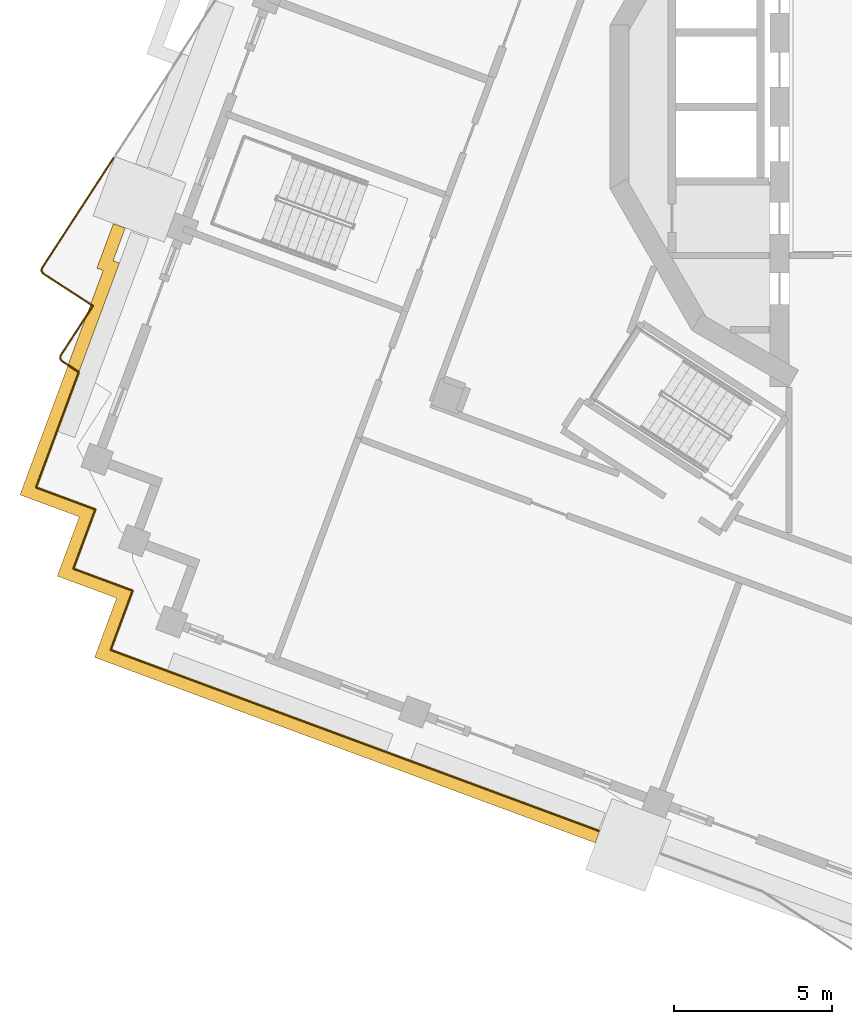
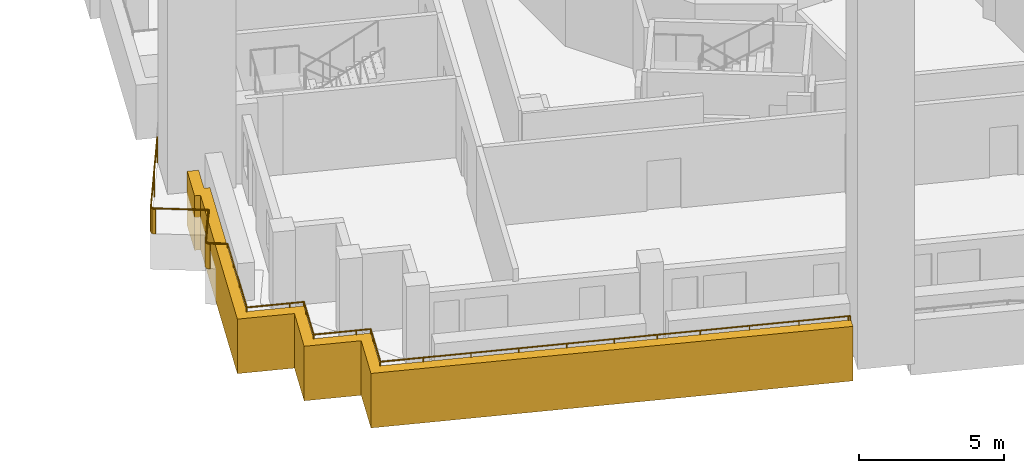
# One storey, part 10 of 20: 1 covering, 1 railing.
"""IFC4 building model written with IfcOpenShell, lengths in metres."""

import ifcopenshell
import ifcopenshell.guid

model = None  # the IFC model being written
_history = None  # IfcOwnerHistory: only IFC2X3 demands one
_inside = {}  # id of a spatial element -> (the spatial element, [elements in it])
_under = {}  # id of a project, library or spatial element -> (it, [spatial elements below it])
_declared = {}  # id of a project -> (the project, [libraries it declares])
_typed = {}  # id of a type object -> (the type object, [elements of that type])
_made_of = {}  # id of a material, layer set ... -> (it, [elements and type objects made of it])


def new_model(schema):
    """Start an empty IFC model of exactly this schema.

    Asked for "IFC4X3", IfcOpenShell would pick the latest addendum, in which some entities
    have other attributes; the version numbers below select the first issue.
    IFC2X3 requires an IfcOwnerHistory on every rooted entity: one is made here for all.
    """
    global model, _history
    if schema == "IFC4X3":
        model = ifcopenshell.file(schema_version=(4, 3, 0, 0))
    else:
        model = ifcopenshell.file(schema=schema)
    _inside.clear()
    _under.clear()
    _declared.clear()
    _typed.clear()
    _made_of.clear()
    _history = None
    if model.schema == "IFC2X3":
        org = make("IfcOrganization", Name="unknown")
        user = make(
            "IfcPersonAndOrganization",
            ThePerson=make("IfcPerson", FamilyName="unknown"),
            TheOrganization=org,
        )
        app = make(
            "IfcApplication",
            ApplicationDeveloper=org,
            Version="unknown",
            ApplicationFullName="unknown",
            ApplicationIdentifier="unknown",
        )
        _history = make(
            "IfcOwnerHistory",
            OwningUser=user,
            OwningApplication=app,
            ChangeAction="ADDED",
            CreationDate=0,
        )
    return model


def make(cls, **values):
    """One entity of the class cls with the attributes given. An attribute that is None is left unset."""
    return model.create_entity(
        cls, **{name: value for name, value in values.items() if value is not None}
    )


def rooted(cls, **values):
    """An entity with a GlobalId (a new one), such as an element, a storey or a relation."""
    return make(cls, GlobalId=ifcopenshell.guid.new(), OwnerHistory=_history, **values)


def si_unit(unit_type, name, prefix=None):
    """IfcSIUnit, for example si_unit("LENGTHUNIT", "METRE", prefix="MILLI")."""
    return make("IfcSIUnit", UnitType=unit_type, Prefix=prefix, Name=name)


def assignment(units):
    """IfcUnitAssignment: the units of a project."""
    return None if units is None else make("IfcUnitAssignment", Units=units)


def point(xyz):
    """IfcCartesianPoint."""
    return None if xyz is None else make("IfcCartesianPoint", Coordinates=xyz)


def direction(xyz):
    """IfcDirection."""
    return None if xyz is None else make("IfcDirection", DirectionRatios=xyz)


def frame(location, z_axis=None, x_axis=None):
    """IfcAxis2Placement3D, a coordinate frame: its origin and axes. An axis left out is left unset."""
    return make(
        "IfcAxis2Placement3D",
        Location=point(location),
        Axis=direction(z_axis),
        RefDirection=direction(x_axis),
    )


def frame_2d(location, x_axis=None):
    """IfcAxis2Placement2D, a coordinate frame in the plane: its origin and x axis."""
    return make(
        "IfcAxis2Placement2D", Location=point(location), RefDirection=direction(x_axis)
    )


def origin():
    """The frame at (0, 0, 0) with its axes left unset."""
    return frame((0.0, 0.0, 0.0))


def origin_2d():
    """The frame at (0, 0) in the plane with its x axis left unset."""
    return frame_2d((0.0, 0.0))


def place(relative_to, where):
    """IfcLocalPlacement: puts the frame where relative to a parent placement (None: the world)."""
    return make(
        "IfcLocalPlacement", PlacementRelTo=relative_to, RelativePlacement=where
    )


def context(
    kind, dimensions, precision=None, world=None, true_north=None, identifier=None
):
    """IfcGeometricRepresentationContext, for example the 3D "Model" context."""
    return make(
        "IfcGeometricRepresentationContext",
        ContextIdentifier=identifier,
        ContextType=kind,
        CoordinateSpaceDimension=dimensions,
        Precision=precision,
        WorldCoordinateSystem=world,
        TrueNorth=true_north,
    )


def subcontext(parent, identifier, kind, view, scale=None):
    """IfcGeometricRepresentationSubContext, for example "Body" below "Model"."""
    return make(
        "IfcGeometricRepresentationSubContext",
        ContextIdentifier=identifier,
        ContextType=kind,
        ParentContext=parent,
        TargetScale=scale,
        TargetView=view,
    )


def project(units=None, contexts=None):
    """IfcProject with its units and contexts."""
    return rooted(
        "IfcProject",
        Name="project",
        RepresentationContexts=contexts,
        UnitsInContext=assignment(units),
    )


def spatial(cls, under=None, at=None, **own):
    """A site, building, storey or space (cls), placed at a placement, below another one or the project."""
    s = rooted(cls, ObjectPlacement=at, **own)
    if under is not None:
        _under.setdefault(under.id(), (under, []))[1].append(s)
    return s


def polyline(points):
    """IfcPolyline through the points."""
    return make("IfcPolyline", Points=[point(p) for p in points])


def profile(cls, at=None, kind="AREA", **sizes):
    """A parametric profile (cls). Its sizes go by their IFC names, for example OverallWidth=200.0."""
    return make(cls, ProfileType=kind, Position=at, **sizes)


def circle(**sizes):
    """IfcCircleProfileDef."""
    return profile("IfcCircleProfileDef", **sizes)


def outline(outer, holes=None, kind="AREA"):
    """IfcArbitraryClosedProfileDef: a profile drawn as a closed curve; with holes, ...WithVoids."""
    if holes is None:
        return make("IfcArbitraryClosedProfileDef", ProfileType=kind, OuterCurve=outer)
    return make(
        "IfcArbitraryProfileDefWithVoids",
        ProfileType=kind,
        OuterCurve=outer,
        InnerCurves=holes,
    )


def extrude(swept, where, along, depth):
    """IfcExtrudedAreaSolid: the profile swept, set in the frame where, extruded along a direction by depth."""
    return make(
        "IfcExtrudedAreaSolid",
        SweptArea=swept,
        Position=where,
        ExtrudedDirection=direction(along),
        Depth=depth,
    )


def shape(context_of_items, identifier, shape_type, items):
    """IfcShapeRepresentation: the items that make up one representation, for example the "Body"."""
    return make(
        "IfcShapeRepresentation",
        ContextOfItems=context_of_items,
        RepresentationIdentifier=identifier,
        RepresentationType=shape_type,
        Items=items,
    )


def material(Name=None, Category=None):
    """IfcMaterial."""
    return make("IfcMaterial", Name=Name, Category=Category)


def made_of(thing, what):
    """Note that an element or type object is made of a material, layer set ...; save() writes the relation."""
    if what is not None:
        _made_of.setdefault(what.id(), (what, []))[1].append(thing)
    return thing


def type_object(cls, material=None, **own):
    """A type object (cls), such as IfcWallType, which elements share."""
    return made_of(rooted(cls, **own), material)


def element(
    cls,
    number,
    at=None,
    inside=None,
    cuts=None,
    type_object=None,
    material=None,
    context=None,
    identifier="Body",
    shape_type=None,
    held_by="IfcProductDefinitionShape",
    body=None,
    shapes=None,
    **own,
):
    """One element of the class cls, such as IfcWall. Its Tag is "e" and its number.

    at: its placement. inside: the storey or other place that contains it. cuts: it is an
    opening in that element (IfcRelVoidsElement). A single representation is given by context,
    identifier, shape_type and body (its items); several are given by shapes. held_by: the class
    of the entity that holds the representations. save() writes the other relations.
    """
    e = rooted(cls, Tag="e%d" % number, ObjectPlacement=at, **own)
    if body is not None:
        shapes = [shape(context, identifier, shape_type, body)]
    if shapes is not None:
        e.Representation = make(held_by, Representations=shapes)
    if inside is not None:
        _inside.setdefault(inside.id(), (inside, []))[1].append(e)
    if cuts is not None:
        rooted(
            "IfcRelVoidsElement", RelatingBuildingElement=cuts, RelatedOpeningElement=e
        )
    if type_object is not None:
        _typed.setdefault(type_object.id(), (type_object, []))[1].append(e)
    return made_of(e, material)


def aggregate(whole, parts):
    """IfcRelAggregates: a whole, such as a stair, and the parts it consists of."""
    return rooted("IfcRelAggregates", RelatingObject=whole, RelatedObjects=parts)


def save(model, path):
    """Write the relations noted so far, then the file.

    IfcRelAggregates (storeys below a building ...), IfcRelContainedInSpatialStructure (elements
    in a storey), IfcRelDefinesByType, IfcRelAssociatesMaterial and IfcRelDeclares: one each for
    every whole, place, type object, material and project.
    """
    for whole, parts in _under.values():
        aggregate(whole, parts)
    for where, things in _inside.values():
        rooted(
            "IfcRelContainedInSpatialStructure",
            RelatedElements=things,
            RelatingStructure=where,
        )
    for kind, things in _typed.values():
        rooted("IfcRelDefinesByType", RelatedObjects=things, RelatingType=kind)
    for what, things in _made_of.values():
        rooted("IfcRelAssociatesMaterial", RelatedObjects=things, RelatingMaterial=what)
    for by, libraries in _declared.values():
        rooted("IfcRelDeclares", RelatingContext=by, RelatedDefinitions=libraries)
    model.write(path)


model = new_model("IFC4")

# Units and contexts
model_context = context("Model", 3, precision=1e-05, world=origin(), true_north=direction((0.0, 1.0)))
body_context = subcontext(model_context, "Body", "Model", "MODEL_VIEW")
ifc_project = project(units=[si_unit("LENGTHUNIT", "METRE"), si_unit("AREAUNIT", "SQUARE_METRE"), si_unit("VOLUMEUNIT", "CUBIC_METRE"), si_unit("PLANEANGLEUNIT", "RADIAN"), si_unit("MASSUNIT", "GRAM", prefix="KILO")], contexts=[model_context])

# Site, building, storey
site_placement = place(None, origin())
site = spatial("IfcSite", under=ifc_project, at=site_placement, CompositionType="ELEMENT")
building_placement = place(site_placement, origin())
building = spatial("IfcBuilding", under=site, at=building_placement, Name="Cantera Rosa Tower", CompositionType="ELEMENT")
storey_placement = place(building_placement, frame((0.0, 0.0, 306.10009765625)))
storey = spatial("IfcBuildingStorey", under=building, at=storey_placement, Name="L67", CompositionType="ELEMENT", Elevation=306.10009765625)

# Railing
ifc_material_1 = material(Name="Stainless steel and laminated glass", Category="steel")
railing_type = type_object("IfcRailingType", Name="GUARD 1100", PredefinedType="BALUSTRADE", material=ifc_material_1)
railing_placement = place(storey_placement, frame((-10.010498046875, -22.8984375, 0.0)))
element("IfcRailing", 1, at=railing_placement, inside=storey, type_object=railing_type, Name="GUARD L67-2", PredefinedType="BALUSTRADE", context=body_context, shape_type="SweptSolid", body=[
    extrude(circle(Radius=0.030029296875, at=origin_2d()), frame((0.0, 0.0, 1.070068359375), z_axis=(-0.937327749542, 0.348448977525, 0.0), x_axis=(-0.348448977525, -0.937327749542, 0.0)), (0.0, 0.0, 1.0), 0.070068359375),
    extrude(circle(Radius=0.030029296875, at=origin_2d()), frame((-0.065673828125, 0.0244140625, 1.070068359375), z_axis=(-0.937688147358, 0.347477968085, 0.0), x_axis=(-0.347477968085, -0.937688147358, 0.0)), (0.0, 0.0, 1.0), 5.199951171875),
    extrude(circle(Radius=0.030029296875, at=origin_2d()), frame((-4.941650390625, 1.831298828125, 1.070068359375), z_axis=(-0.937680024402, 0.347499887537, 0.0), x_axis=(-0.347499887537, -0.937680024402, 0.0)), (0.0, 0.0, 1.0), 3.0),
    extrude(circle(Radius=0.030029296875, at=origin_2d()), frame((-7.754638671875, 2.873779296875, 1.070068359375), z_axis=(-0.937686328856, 0.347482875373, 0.0), x_axis=(-0.347482875373, -0.937686328856, 0.0)), (0.0, 0.0, 1.0), 6.699951171875),
    extrude(circle(Radius=0.030029296875, at=origin_2d()), frame((-14.037109375, 5.201904296875, 1.070068359375), z_axis=(-0.93769967459, 0.347446859641, 0.0), x_axis=(-0.347446859641, -0.93769967459, 0.0)), (0.0, 0.0, 1.0), 1.500244140625),
    extrude(circle(Radius=0.030029296875, at=origin_2d()), frame((-15.44384765625, 5.72314453125, 1.070068359375), z_axis=(0.347499887537, 0.937680024402, 0.0), x_axis=(-0.937680024402, 0.347499887537, 0.0)), (0.0, 0.0, 1.0), 1.5),
    extrude(circle(Radius=0.030029296875, at=origin_2d()), frame((-14.922607421875, 7.129638671875, 1.070068359375), z_axis=(0.347696042931, 0.937607306781, 0.0), x_axis=(-0.937607306781, 0.347696042931, 0.0)), (0.0, 0.0, 1.0), 0.5),
    extrude(circle(Radius=0.030029296875, at=origin_2d()), frame((-14.748779296875, 7.598388671875, 1.070068359375), z_axis=(-0.937607306781, 0.347696042931, 0.0), x_axis=(-0.347696042931, -0.937607306781, 0.0)), (0.0, 0.0, 1.0), 0.5),
    extrude(circle(Radius=0.030029296875, at=origin_2d()), frame((-15.217529296875, 7.772216796875, 1.070068359375), z_axis=(-0.93769967459, 0.347446859641, 0.0), x_axis=(-0.347446859641, -0.93769967459, 0.0)), (0.0, 0.0, 1.0), 1.500244140625),
    extrude(circle(Radius=0.030029296875, at=origin_2d()), frame((-16.624267578125, 8.29345703125, 1.070068359375), z_axis=(0.347499887537, 0.937680024402, 0.0), x_axis=(-0.937680024402, 0.347499887537, 0.0)), (0.0, 0.0, 1.0), 1.5),
    extrude(circle(Radius=0.030029296875, at=origin_2d()), frame((-16.10302734375, 9.699951171875, 1.070068359375), z_axis=(0.347696042931, 0.937607306781, 0.0), x_axis=(-0.937607306781, 0.347696042931, 0.0)), (0.0, 0.0, 1.0), 0.5),
    extrude(circle(Radius=0.030029296875, at=origin_2d()), frame((-15.92919921875, 10.168701171875, 1.070068359375), z_axis=(-0.937607306781, 0.347696042931, 0.0), x_axis=(-0.347696042931, -0.937607306781, 0.0)), (0.0, 0.0, 1.0), 0.5),
    extrude(circle(Radius=0.030029296875, at=origin_2d()), frame((-16.39794921875, 10.342529296875, 1.070068359375), z_axis=(-0.93769967459, 0.347446859641, 0.0), x_axis=(-0.347446859641, -0.93769967459, 0.0)), (0.0, 0.0, 1.0), 1.500244140625),
    extrude(circle(Radius=0.030029296875, at=origin_2d()), frame((-17.8046875, 10.86376953125, 1.070068359375), z_axis=(0.347499887537, 0.937680024402, 0.0), x_axis=(-0.937680024402, 0.347499887537, 0.0)), (0.0, 0.0, 1.0), 1.5),
    extrude(circle(Radius=0.030029296875, at=origin_2d()), frame((-17.283447265625, 12.270263671875, 1.070068359375), z_axis=(0.347534196719, 0.937667308863, 0.0), x_axis=(-0.937667308863, 0.347534196719, 0.0)), (0.0, 0.0, 1.0), 2.386962890625),
    extrude(circle(Radius=0.030029296875, at=origin_2d()), frame((-16.453857421875, 14.508544921875, 1.070068359375), z_axis=(-0.838782793317, 0.544466184106, 0.0), x_axis=(-0.544466184106, -0.838782793317, 0.0)), (0.0, 0.0, 1.0), 0.62451171875),
    extrude(circle(Radius=0.030029296875, at=origin_2d()), frame((-16.977783203125, 14.8486328125, 1.070068359375), z_axis=(-0.813733471207, 0.581238193719, 0.0), x_axis=(-0.581238193719, -0.813733471207, 0.0)), (0.0, 0.0, 1.0), 0.0146484375),
    extrude(circle(Radius=0.030029296875, at=origin_2d()), frame((-16.98974609375, 14.857177734375, 1.070068359375), z_axis=(-0.747409318684, 0.66436383883, 0.0), x_axis=(-0.66436383883, -0.747409318684, 0.0)), (0.0, 0.0, 1.0), 0.0146484375),
    extrude(circle(Radius=0.030029296875, at=origin_2d()), frame((-17.000732421875, 14.866943359375, 1.070068359375), z_axis=(-0.68172559923, 0.73160796015, 0.0), x_axis=(-0.73160796015, -0.68172559923, 0.0)), (0.0, 0.0, 1.0), 0.0146484375),
    extrude(circle(Radius=0.030029296875, at=origin_2d()), frame((-17.0107421875, 14.877685546875, 1.070068359375), z_axis=(-0.6, 0.8, 0.0), x_axis=(-0.8, -0.6, 0.0)), (0.0, 0.0, 1.0), 0.0146484375),
    extrude(circle(Radius=0.030029296875, at=origin_2d()), frame((-17.01953125, 14.889404296875, 1.070068359375), z_axis=(-0.524097425664, 0.851658316705, 0.0), x_axis=(-0.851658316705, -0.524097425664, 0.0)), (0.0, 0.0, 1.0), 0.014892578125),
    extrude(circle(Radius=0.030029296875, at=origin_2d()), frame((-17.02734375, 14.902099609375, 1.070068359375), z_axis=(-0.4472135955, 0.894427191, 0.0), x_axis=(-0.894427191, -0.4472135955, 0.0)), (0.0, 0.0, 1.0), 0.0146484375),
    extrude(circle(Radius=0.030029296875, at=origin_2d()), frame((-17.033935546875, 14.915283203125, 1.070068359375), z_axis=(-0.351123441588, 0.936329177569, 0.0), x_axis=(-0.936329177569, -0.351123441588, 0.0)), (0.0, 0.0, 1.0), 0.0146484375),
    extrude(circle(Radius=0.030029296875, at=origin_2d()), frame((-17.0390625, 14.928955078125, 1.070068359375), z_axis=(-0.246398779092, 0.969168531094, 0.0), x_axis=(-0.969168531094, -0.246398779092, 0.0)), (0.0, 0.0, 1.0), 0.014892578125),
    extrude(circle(Radius=0.030029296875, at=origin_2d()), frame((-17.042724609375, 14.943359375, 1.070068359375), z_axis=(-0.167108230108, 0.985938557634, 0.0), x_axis=(-0.985938557634, -0.167108230108, 0.0)), (0.0, 0.0, 1.0), 0.0146484375),
    extrude(circle(Radius=0.030029296875, at=origin_2d()), frame((-17.045166015625, 14.957763671875, 1.070068359375), z_axis=(-0.049937616944, 0.998752338878, 0.0), x_axis=(-0.998752338878, -0.049937616944, 0.0)), (0.0, 0.0, 1.0), 0.0146484375),
    extrude(circle(Radius=0.030029296875, at=origin_2d()), frame((-17.0458984375, 14.972412109375, 1.070068359375), z_axis=(0.032769276821, 0.999462943033, 0.0), x_axis=(-0.999462943033, 0.032769276821, 0.0)), (0.0, 0.0, 1.0), 0.014892578125),
    extrude(circle(Radius=0.030029296875, at=origin_2d()), frame((-17.04541015625, 14.9873046875, 1.070068359375), z_axis=(0.134363672974, 0.99093208818, 0.0), x_axis=(-0.99093208818, 0.134363672974, 0.0)), (0.0, 0.0, 1.0), 0.0146484375),
    extrude(circle(Radius=0.030029296875, at=origin_2d()), frame((-17.04345703125, 15.001708984375, 1.070068359375), z_axis=(0.230877292468, 0.972982875401, 0.0), x_axis=(-0.972982875401, 0.230877292468, 0.0)), (0.0, 0.0, 1.0), 0.014892578125),
    extrude(circle(Radius=0.030029296875, at=origin_2d()), frame((-17.0400390625, 15.01611328125, 1.070068359375), z_axis=(0.316227766017, 0.948683298051, 0.0), x_axis=(-0.948683298051, 0.316227766017, 0.0)), (0.0, 0.0, 1.0), 0.0146484375),
    extrude(circle(Radius=0.030029296875, at=origin_2d()), frame((-17.035400390625, 15.030029296875, 1.070068359375), z_axis=(0.413802944301, 0.910366477463, 0.0), x_axis=(-0.910366477463, 0.413802944301, 0.0)), (0.0, 0.0, 1.0), 0.0146484375),
    extrude(circle(Radius=0.030029296875, at=origin_2d()), frame((-17.029296875, 15.04345703125, 1.070068359375), z_axis=(0.512064542317, 0.858946974209, 0.0), x_axis=(-0.858946974209, 0.512064542317, 0.0)), (0.0, 0.0, 1.0), 0.014892578125),
    extrude(circle(Radius=0.030029296875, at=origin_2d()), frame((-17.021728515625, 15.05615234375, 1.070068359375), z_axis=(0.544588529579, 0.838703364397, 0.0), x_axis=(-0.838703364397, 0.544588529579, 0.0)), (0.0, 0.0, 1.0), 1.84619140625),
    extrude(circle(Radius=0.030029296875, at=origin_2d()), frame((-16.016357421875, 16.6044921875, 1.070068359375), z_axis=(0.474099823035, 0.880471099922, 0.0), x_axis=(-0.880471099922, 0.474099823035, 0.0)), (0.0, 0.0, 1.0), 0.003662109375),
    extrude(circle(Radius=0.030029296875, at=origin_2d()), frame((-16.0146484375, 16.607666015625, 1.070068359375), z_axis=(-0.808736084303, 0.588171697675, 0.0), x_axis=(-0.588171697675, -0.808736084303, 0.0)), (0.0, 0.0, 1.0), 0.00341796875),
    extrude(circle(Radius=0.030029296875, at=origin_2d()), frame((-16.017333984375, 16.609619140625, 1.070068359375), z_axis=(-0.838682185608, 0.544621144966, 0.0), x_axis=(-0.544621144966, -0.838682185608, 0.0)), (0.0, 0.0, 1.0), 1.846435546875),
    extrude(circle(Radius=0.030029296875, at=origin_2d()), frame((-17.56591796875, 17.615234375, 1.070068359375), z_axis=(-0.808007530216, 0.589172157449, 0.0), x_axis=(-0.589172157449, -0.808007530216, 0.0)), (0.0, 0.0, 1.0), 0.014404296875),
    extrude(circle(Radius=0.030029296875, at=origin_2d()), frame((-17.57763671875, 17.623779296875, 1.070068359375), z_axis=(-0.754605522164, 0.656178714925, 0.0), x_axis=(-0.656178714925, -0.754605522164, 0.0)), (0.0, 0.0, 1.0), 0.014892578125),
    extrude(circle(Radius=0.030029296875, at=origin_2d()), frame((-17.5888671875, 17.633544921875, 1.070068359375), z_axis=(-0.68172559923, 0.73160796015, 0.0), x_axis=(-0.73160796015, -0.68172559923, 0.0)), (0.0, 0.0, 1.0), 0.0146484375),
    extrude(circle(Radius=0.030029296875, at=origin_2d()), frame((-17.598876953125, 17.644287109375, 1.070068359375), z_axis=(-0.6, 0.8, 0.0), x_axis=(-0.8, -0.6, 0.0)), (0.0, 0.0, 1.0), 0.0146484375),
    extrude(circle(Radius=0.030029296875, at=origin_2d()), frame((-17.607666015625, 17.656005859375, 1.070068359375), z_axis=(-0.524097425664, 0.851658316705, 0.0), x_axis=(-0.851658316705, -0.524097425664, 0.0)), (0.0, 0.0, 1.0), 0.014892578125),
    extrude(circle(Radius=0.030029296875, at=origin_2d()), frame((-17.615478515625, 17.668701171875, 1.070068359375), z_axis=(-0.433815618773, 0.901001669759, 0.0), x_axis=(-0.901001669759, -0.433815618773, 0.0)), (0.0, 0.0, 1.0), 0.0146484375),
    extrude(circle(Radius=0.030029296875, at=origin_2d()), frame((-17.621826171875, 17.681884765625, 1.070068359375), z_axis=(-0.351123441588, 0.936329177569, 0.0), x_axis=(-0.936329177569, -0.351123441588, 0.0)), (0.0, 0.0, 1.0), 0.0146484375),
    extrude(circle(Radius=0.030029296875, at=origin_2d()), frame((-17.626953125, 17.695556640625, 1.070068359375), z_axis=(-0.261732970243, 0.96514032777, 0.0), x_axis=(-0.96514032777, -0.261732970243, 0.0)), (0.0, 0.0, 1.0), 0.014892578125),
    extrude(circle(Radius=0.030029296875, at=origin_2d()), frame((-17.630859375, 17.7099609375, 1.070068359375), z_axis=(-0.167108230108, 0.985938557634, 0.0), x_axis=(-0.985938557634, -0.167108230108, 0.0)), (0.0, 0.0, 1.0), 0.0146484375),
    extrude(circle(Radius=0.030029296875, at=origin_2d()), frame((-17.63330078125, 17.724365234375, 1.070068359375), z_axis=(-0.049937616944, 0.998752338878, 0.0), x_axis=(-0.998752338878, -0.049937616944, 0.0)), (0.0, 0.0, 1.0), 0.0146484375),
    extrude(circle(Radius=0.030029296875, at=origin_2d()), frame((-17.634033203125, 17.739013671875, 1.070068359375), z_axis=(0.032769276821, 0.999462943033, 0.0), x_axis=(-0.999462943033, 0.032769276821, 0.0)), (0.0, 0.0, 1.0), 0.014892578125),
    extrude(circle(Radius=0.030029296875, at=origin_2d()), frame((-17.633544921875, 17.75390625, 1.070068359375), z_axis=(0.134363672974, 0.99093208818, 0.0), x_axis=(-0.99093208818, 0.134363672974, 0.0)), (0.0, 0.0, 1.0), 0.0146484375),
    extrude(circle(Radius=0.030029296875, at=origin_2d()), frame((-17.631591796875, 17.768310546875, 1.070068359375), z_axis=(0.230877292468, 0.972982875401, 0.0), x_axis=(-0.972982875401, 0.230877292468, 0.0)), (0.0, 0.0, 1.0), 0.014892578125),
    extrude(circle(Radius=0.030029296875, at=origin_2d()), frame((-17.628173828125, 17.78271484375, 1.070068359375), z_axis=(0.316227766017, 0.948683298051, 0.0), x_axis=(-0.948683298051, 0.316227766017, 0.0)), (0.0, 0.0, 1.0), 0.0146484375),
    extrude(circle(Radius=0.030029296875, at=origin_2d()), frame((-17.62353515625, 17.796630859375, 1.070068359375), z_axis=(0.427379616893, 0.904072266505, 0.0), x_axis=(-0.904072266505, 0.427379616893, 0.0)), (0.0, 0.0, 1.0), 0.014892578125),
    extrude(circle(Radius=0.030029296875, at=origin_2d()), frame((-17.6171875, 17.81005859375, 1.070068359375), z_axis=(0.49972245349, 0.866185586049, 0.0), x_axis=(-0.866185586049, 0.49972245349, 0.0)), (0.0, 0.0, 1.0), 0.0146484375),
    extrude(circle(Radius=0.030029296875, at=origin_2d()), frame((-17.60986328125, 17.82275390625, 1.070068359375), z_axis=(0.544632984068, 0.838674497446, 0.0), x_axis=(-0.838674497446, 0.544632984068, 0.0)), (0.0, 0.0, 1.0), 4.1298828125),
    extrude(circle(Radius=0.02490234375, at=origin_2d()), origin(), (0.0, 0.0, 1.0), 1.0400390625),
    extrude(circle(Radius=0.02490234375, at=origin_2d()), frame((-0.065673828125, 0.0244140625, 0.0)), (0.0, 0.0, 1.0), 1.0400390625),
    extrude(circle(Radius=0.02490234375, at=origin_2d()), frame((-1.69091796875, 0.626708984375, 0.0)), (0.0, 0.0, 1.0), 1.0400390625),
    extrude(circle(Radius=0.02490234375, at=origin_2d()), frame((-3.31640625, 1.22900390625, 0.0)), (0.0, 0.0, 1.0), 1.0400390625),
    extrude(circle(Radius=0.02490234375, at=origin_2d()), frame((-4.941650390625, 1.831298828125, 0.0)), (0.0, 0.0, 1.0), 1.0400390625),
    extrude(circle(Radius=0.02490234375, at=origin_2d()), frame((-6.34814453125, 2.3525390625, 0.0)), (0.0, 0.0, 1.0), 1.0400390625),
    extrude(circle(Radius=0.02490234375, at=origin_2d()), frame((-7.754638671875, 2.873779296875, 0.0)), (0.0, 0.0, 1.0), 1.0400390625),
    extrude(circle(Radius=0.02490234375, at=origin_2d()), frame((-9.3251953125, 3.455810546875, 0.0)), (0.0, 0.0, 1.0), 1.0400390625),
    extrude(circle(Radius=0.02490234375, at=origin_2d()), frame((-10.89599609375, 4.037841796875, 0.0)), (0.0, 0.0, 1.0), 1.0400390625),
    extrude(circle(Radius=0.02490234375, at=origin_2d()), frame((-12.466552734375, 4.619873046875, 0.0)), (0.0, 0.0, 1.0), 1.0400390625),
    extrude(circle(Radius=0.02490234375, at=origin_2d()), frame((-14.037109375, 5.201904296875, 0.0)), (0.0, 0.0, 1.0), 1.0400390625),
    extrude(circle(Radius=0.02490234375, at=origin_2d()), frame((-15.44384765625, 5.72314453125, 0.0)), (0.0, 0.0, 1.0), 1.0400390625),
    extrude(circle(Radius=0.02490234375, at=origin_2d()), frame((-14.922607421875, 7.129638671875, 0.0)), (0.0, 0.0, 1.0), 1.0400390625),
    extrude(circle(Radius=0.02490234375, at=origin_2d()), frame((-14.748779296875, 7.598388671875, 0.0)), (0.0, 0.0, 1.0), 1.0400390625),
    extrude(circle(Radius=0.02490234375, at=origin_2d()), frame((-15.217529296875, 7.772216796875, 0.0)), (0.0, 0.0, 1.0), 1.0400390625),
    extrude(circle(Radius=0.02490234375, at=origin_2d()), frame((-16.624267578125, 8.29345703125, 0.0)), (0.0, 0.0, 1.0), 1.0400390625),
    extrude(circle(Radius=0.02490234375, at=origin_2d()), frame((-16.10302734375, 9.699951171875, 0.0)), (0.0, 0.0, 1.0), 1.0400390625),
    extrude(circle(Radius=0.02490234375, at=origin_2d()), frame((-15.92919921875, 10.168701171875, 0.0)), (0.0, 0.0, 1.0), 1.0400390625),
    extrude(circle(Radius=0.02490234375, at=origin_2d()), frame((-16.39794921875, 10.342529296875, 0.0)), (0.0, 0.0, 1.0), 1.0400390625),
    extrude(circle(Radius=0.02490234375, at=origin_2d()), frame((-17.8046875, 10.86376953125, 0.0)), (0.0, 0.0, 1.0), 1.0400390625),
    extrude(circle(Radius=0.02490234375, at=origin_2d()), frame((-17.283447265625, 12.270263671875, 0.0)), (0.0, 0.0, 1.0), 1.0400390625),
    extrude(circle(Radius=0.02490234375, at=origin_2d()), frame((-16.86865234375, 13.389404296875, 0.0)), (0.0, 0.0, 1.0), 1.0400390625),
    extrude(circle(Radius=0.02490234375, at=origin_2d()), frame((-16.453857421875, 14.508544921875, 0.0)), (0.0, 0.0, 1.0), 1.0400390625),
    extrude(circle(Radius=0.02490234375, at=origin_2d()), frame((-16.977783203125, 14.8486328125, 0.0)), (0.0, 0.0, 1.0), 1.0400390625),
    extrude(circle(Radius=0.02490234375, at=origin_2d()), frame((-16.98974609375, 14.857177734375, 0.0)), (0.0, 0.0, 1.0), 1.0400390625),
    extrude(circle(Radius=0.02490234375, at=origin_2d()), frame((-17.000732421875, 14.866943359375, 0.0)), (0.0, 0.0, 1.0), 1.0400390625),
    extrude(circle(Radius=0.02490234375, at=origin_2d()), frame((-17.0107421875, 14.877685546875, 0.0)), (0.0, 0.0, 1.0), 1.0400390625),
    extrude(circle(Radius=0.02490234375, at=origin_2d()), frame((-17.01953125, 14.889404296875, 0.0)), (0.0, 0.0, 1.0), 1.0400390625),
    extrude(circle(Radius=0.02490234375, at=origin_2d()), frame((-17.02734375, 14.902099609375, 0.0)), (0.0, 0.0, 1.0), 1.0400390625),
    extrude(circle(Radius=0.02490234375, at=origin_2d()), frame((-17.033935546875, 14.915283203125, 0.0)), (0.0, 0.0, 1.0), 1.0400390625),
    extrude(circle(Radius=0.02490234375, at=origin_2d()), frame((-17.0390625, 14.928955078125, 0.0)), (0.0, 0.0, 1.0), 1.0400390625),
    extrude(circle(Radius=0.02490234375, at=origin_2d()), frame((-17.042724609375, 14.943359375, 0.0)), (0.0, 0.0, 1.0), 1.0400390625),
    extrude(circle(Radius=0.02490234375, at=origin_2d()), frame((-17.045166015625, 14.957763671875, 0.0)), (0.0, 0.0, 1.0), 1.0400390625),
    extrude(circle(Radius=0.02490234375, at=origin_2d()), frame((-17.0458984375, 14.972412109375, 0.0)), (0.0, 0.0, 1.0), 1.0400390625),
    extrude(circle(Radius=0.02490234375, at=origin_2d()), frame((-17.04541015625, 14.9873046875, 0.0)), (0.0, 0.0, 1.0), 1.0400390625),
    extrude(circle(Radius=0.02490234375, at=origin_2d()), frame((-17.04345703125, 15.001708984375, 0.0)), (0.0, 0.0, 1.0), 1.0400390625),
    extrude(circle(Radius=0.02490234375, at=origin_2d()), frame((-17.0400390625, 15.01611328125, 0.0)), (0.0, 0.0, 1.0), 1.0400390625),
    extrude(circle(Radius=0.02490234375, at=origin_2d()), frame((-17.035400390625, 15.030029296875, 0.0)), (0.0, 0.0, 1.0), 1.0400390625),
    extrude(circle(Radius=0.02490234375, at=origin_2d()), frame((-17.029296875, 15.04345703125, 0.0)), (0.0, 0.0, 1.0), 1.0400390625),
    extrude(circle(Radius=0.02490234375, at=origin_2d()), frame((-17.021728515625, 15.05615234375, 0.0)), (0.0, 0.0, 1.0), 1.0400390625),
    extrude(circle(Radius=0.02490234375, at=origin_2d()), frame((-16.016357421875, 16.6044921875, 0.0)), (0.0, 0.0, 1.0), 1.0400390625),
    extrude(circle(Radius=0.02490234375, at=origin_2d()), frame((-16.0146484375, 16.607666015625, 0.0)), (0.0, 0.0, 1.0), 1.0400390625),
    extrude(circle(Radius=0.02490234375, at=origin_2d()), frame((-16.017333984375, 16.609619140625, 0.0)), (0.0, 0.0, 1.0), 1.0400390625),
    extrude(circle(Radius=0.02490234375, at=origin_2d()), frame((-17.56591796875, 17.615234375, 0.0)), (0.0, 0.0, 1.0), 1.0400390625),
    extrude(circle(Radius=0.02490234375, at=origin_2d()), frame((-17.57763671875, 17.623779296875, 0.0)), (0.0, 0.0, 1.0), 1.0400390625),
    extrude(circle(Radius=0.02490234375, at=origin_2d()), frame((-17.5888671875, 17.633544921875, 0.0)), (0.0, 0.0, 1.0), 1.0400390625),
    extrude(circle(Radius=0.02490234375, at=origin_2d()), frame((-17.598876953125, 17.644287109375, 0.0)), (0.0, 0.0, 1.0), 1.0400390625),
    extrude(circle(Radius=0.02490234375, at=origin_2d()), frame((-17.607666015625, 17.656005859375, 0.0)), (0.0, 0.0, 1.0), 1.0400390625),
    extrude(circle(Radius=0.02490234375, at=origin_2d()), frame((-17.615478515625, 17.668701171875, 0.0)), (0.0, 0.0, 1.0), 1.0400390625),
    extrude(circle(Radius=0.02490234375, at=origin_2d()), frame((-17.621826171875, 17.681884765625, 0.0)), (0.0, 0.0, 1.0), 1.0400390625),
    extrude(circle(Radius=0.02490234375, at=origin_2d()), frame((-17.626953125, 17.695556640625, 0.0)), (0.0, 0.0, 1.0), 1.0400390625),
    extrude(circle(Radius=0.02490234375, at=origin_2d()), frame((-17.630859375, 17.7099609375, 0.0)), (0.0, 0.0, 1.0), 1.0400390625),
    extrude(circle(Radius=0.02490234375, at=origin_2d()), frame((-17.63330078125, 17.724365234375, 0.0)), (0.0, 0.0, 1.0), 1.0400390625),
    extrude(circle(Radius=0.02490234375, at=origin_2d()), frame((-17.634033203125, 17.739013671875, 0.0)), (0.0, 0.0, 1.0), 1.0400390625),
    extrude(circle(Radius=0.02490234375, at=origin_2d()), frame((-17.633544921875, 17.75390625, 0.0)), (0.0, 0.0, 1.0), 1.0400390625),
    extrude(circle(Radius=0.02490234375, at=origin_2d()), frame((-17.631591796875, 17.768310546875, 0.0)), (0.0, 0.0, 1.0), 1.0400390625),
    extrude(circle(Radius=0.02490234375, at=origin_2d()), frame((-17.628173828125, 17.78271484375, 0.0)), (0.0, 0.0, 1.0), 1.0400390625),
    extrude(circle(Radius=0.02490234375, at=origin_2d()), frame((-17.62353515625, 17.796630859375, 0.0)), (0.0, 0.0, 1.0), 1.0400390625),
    extrude(circle(Radius=0.02490234375, at=origin_2d()), frame((-17.6171875, 17.81005859375, 0.0)), (0.0, 0.0, 1.0), 1.0400390625),
    extrude(circle(Radius=0.02490234375, at=origin_2d()), frame((-17.60986328125, 17.82275390625, 0.0)), (0.0, 0.0, 1.0), 1.0400390625),
    extrude(circle(Radius=0.02490234375, at=origin_2d()), frame((-16.4853515625, 19.5546875, 0.0)), (0.0, 0.0, 1.0), 1.0400390625),
    extrude(circle(Radius=0.02490234375, at=origin_2d()), frame((-15.360595703125, 21.286376953125, 0.0)), (0.0, 0.0, 1.0), 1.0400390625),
])

# Covering
ifc_material_2 = material(Name="Cantera stone", Category="masonry")
covering_type = type_object("IfcCoveringType", Name="TRAY FASCIA 400", PredefinedType="CLADDING", material=ifc_material_2)
covering_placement = place(storey_placement, frame((0.0, 0.0, -1.400146484375)))
element("IfcCovering", 2, at=covering_placement, inside=storey, type_object=covering_type, Name="TRAY FASCIA L67-01", PredefinedType="CLADDING", context=body_context, shape_type="SweptSolid", body=[
    extrude(outline(polyline([(-25.375244140625, -3.692626953125), (-25.000244140625, -3.83154296875), (-25.3828125, -4.864013671875), (-25.18505859375, -4.937255859375), (-27.2939453125, -10.628173828125), (-27.815185546875, -12.03466796875), (-26.408447265625, -12.555908203125), (-25.939697265625, -12.729736328125), (-26.113525390625, -13.198486328125), (-26.634765625, -14.60498046875), (-25.22802734375, -15.126220703125), (-24.75927734375, -15.300048828125), (-24.93310546875, -15.768798828125), (-25.454345703125, -17.17529296875), (-24.047607421875, -17.696533203125), (-17.76513671875, -20.024658203125), (-14.9521484375, -21.067138671875), (-10.076171875, -22.8740234375), (-9.99169921875, -22.9052734375), (-10.130859375, -23.280517578125), (-10.215087890625, -23.2490234375), (-15.091064453125, -21.442138671875), (-17.904296875, -20.39990234375), (-24.186767578125, -18.07177734375), (-25.96826171875, -17.411376953125), (-25.30810546875, -15.6298828125), (-25.2734375, -15.5361328125), (-25.3671875, -15.501220703125), (-27.148681640625, -14.841064453125), (-26.488525390625, -13.0595703125), (-26.453857421875, -12.9658203125), (-26.547607421875, -12.930908203125), (-28.3291015625, -12.270751953125), (-27.6689453125, -10.4892578125), (-25.698974609375, -5.17333984375), (-25.89697265625, -5.10009765625), (-25.375244140625, -3.692626953125)])), origin(), (0.0, 0.0, 1.0), 2.300048828125),
])

save(model, "model.ifc")
